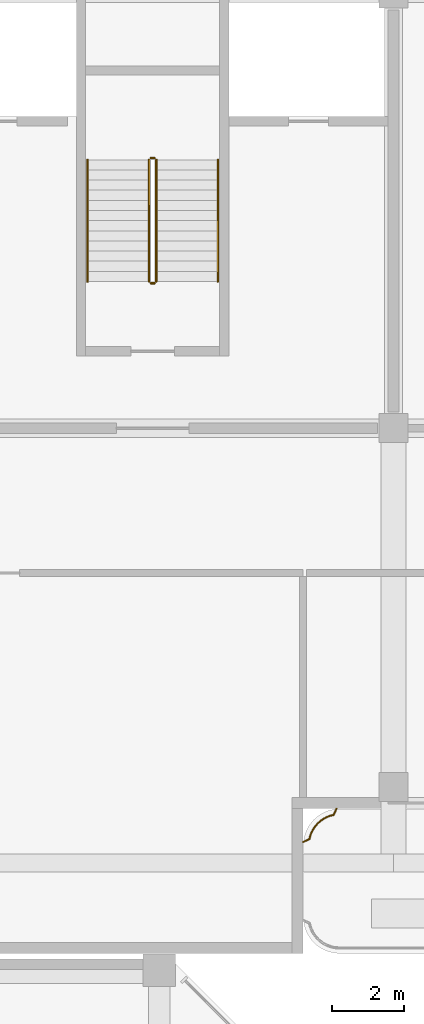
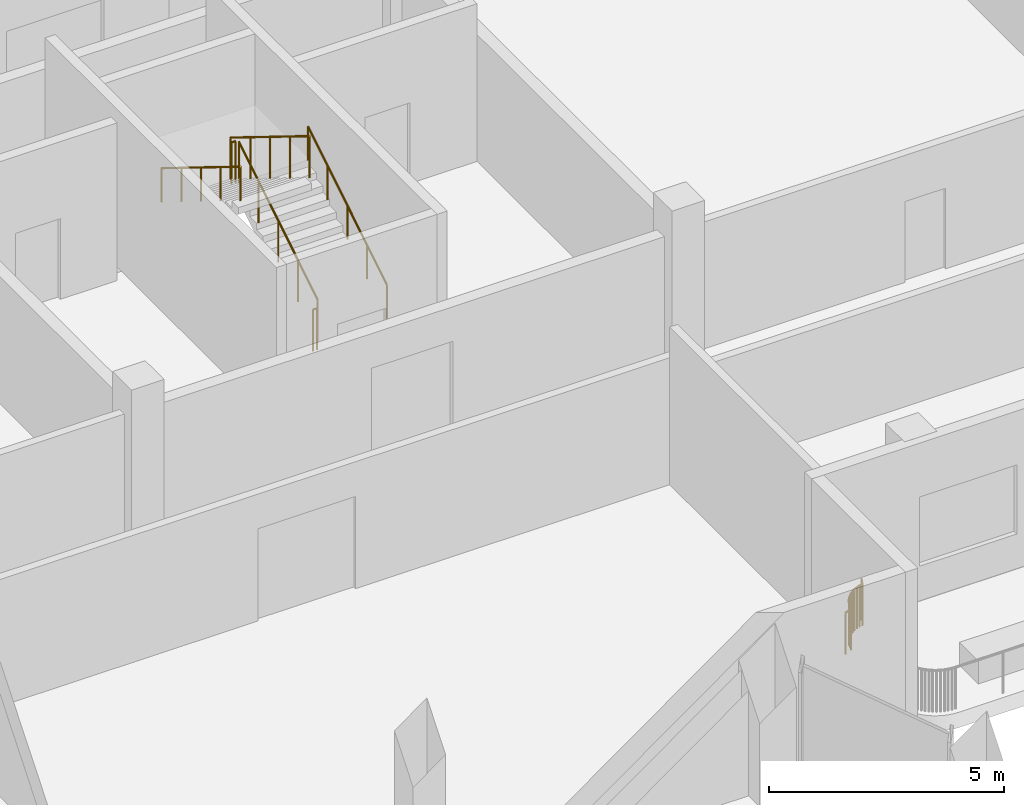
# One storey, part 33 of 35: 7 railings.
"""IFC4 building model written with IfcOpenShell, lengths in metres."""

from ifc_helpers import new_model, si_unit, direction, frame, origin, origin_2d, place, context, subcontext, project, spatial, circle, extrude, material, type_object, element, save


model = new_model("IFC4")

# Units and contexts
model_context = context("Model", 3, precision=1e-05, world=origin(), true_north=direction((0.0, 1.0)))
body_context = subcontext(model_context, "Body", "Model", "MODEL_VIEW")
ifc_project = project(units=[si_unit("LENGTHUNIT", "METRE"), si_unit("AREAUNIT", "SQUARE_METRE"), si_unit("VOLUMEUNIT", "CUBIC_METRE"), si_unit("PLANEANGLEUNIT", "RADIAN"), si_unit("MASSUNIT", "GRAM", prefix="KILO")], contexts=[model_context])

# Site, building, storey
site_placement = place(None, origin())
site = spatial("IfcSite", under=ifc_project, at=site_placement, CompositionType="ELEMENT")
building_placement = place(site_placement, origin())
building = spatial("IfcBuilding", under=site, at=building_placement, Name="Kilnfold Tower and Market Hall", CompositionType="ELEMENT")
storey_placement = place(building_placement, frame((0.0, 0.0, 13.5)))
storey = spatial("IfcBuildingStorey", under=building, at=storey_placement, Name="L02", CompositionType="ELEMENT", Elevation=13.5)

# Railings
ifc_material_1 = material(Name="Steel S355", Category="steel")
railing_type_1 = type_object("IfcRailingType", Name="HALL STAIR GUARD 1100", PredefinedType="GUARDRAIL", material=ifc_material_1)
railing_1_placement = place(storey_placement, frame((24.10009765625, 46.699951171875, 0.173095703125)))
element("IfcRailing", 1, at=railing_1_placement, inside=storey, type_object=railing_type_1, Name="L02 MS5 stair guard 1", PredefinedType="GUARDRAIL", context=body_context, shape_type="SweptSolid", body=[
    extrude(circle(Radius=0.02392578125, at=origin_2d()), frame((0.0, 0.0, 1.076171875), z_axis=(0.0, 0.850623216509, 0.525775754039), x_axis=(-1.0, 0.0, 0.0)), (0.0, 0.0, 1.0), 3.9501953125),
    extrude(circle(Radius=0.02099609375, at=origin_2d()), origin(), (0.0, 0.0, 1.0), 1.052001953125),
    extrude(circle(Radius=0.02099609375, at=origin_2d()), frame((0.0, 0.840087890625, 0.519287109375)), (0.0, 0.0, 1.0), 1.052001953125),
    extrude(circle(Radius=0.02099609375, at=origin_2d()), frame((0.0, 1.68017578125, 1.03857421875)), (0.0, 0.0, 1.0), 1.052001953125),
    extrude(circle(Radius=0.02099609375, at=origin_2d()), frame((0.0, 2.52001953125, 1.5576171875)), (0.0, 0.0, 1.0), 1.052001953125),
    extrude(circle(Radius=0.02099609375, at=origin_2d()), frame((0.0, 3.360107421875, 2.076904296875)), (0.0, 0.0, 1.0), 1.052001953125),
])
railing_2_placement = place(storey_placement, frame((24.050048828125, 50.110107421875, 2.25)))
element("IfcRailing", 2, at=railing_2_placement, inside=storey, type_object=railing_type_1, Name="L02 MS5 stair guard 2", PredefinedType="GUARDRAIL", context=body_context, shape_type="SweptSolid", body=[
    extrude(circle(Radius=0.02392578125, at=origin_2d()), frame((0.0, 0.0, 1.076171875), z_axis=(-1.0, 0.0, 0.0), x_axis=(0.0, -1.0, 0.0)), (0.0, 0.0, 1.0), 0.10009765625),
    extrude(circle(Radius=0.02099609375, at=origin_2d()), origin(), (0.0, 0.0, 1.0), 1.052001953125),
    extrude(circle(Radius=0.02099609375, at=origin_2d()), frame((-0.10009765625, 0.0, 0.0)), (0.0, 0.0, 1.0), 1.052001953125),
])
railing_3_placement = place(storey_placement, frame((23.89990234375, 50.06005859375, 2.423095703125)))
element("IfcRailing", 3, at=railing_3_placement, inside=storey, type_object=railing_type_1, Name="L02 MS5 stair guard 3", PredefinedType="GUARDRAIL", context=body_context, shape_type="SweptSolid", body=[
    extrude(circle(Radius=0.02392578125, at=origin_2d()), frame((0.0, 0.0, 1.076171875), z_axis=(0.0, -0.850623216509, 0.525775754039), x_axis=(1.0, 0.0, 0.0)), (0.0, 0.0, 1.0), 3.9501953125),
    extrude(circle(Radius=0.02099609375, at=origin_2d()), origin(), (0.0, 0.0, 1.0), 1.052001953125),
    extrude(circle(Radius=0.02099609375, at=origin_2d()), frame((0.0, -0.840087890625, 0.519287109375)), (0.0, 0.0, 1.0), 1.052001953125),
    extrude(circle(Radius=0.02099609375, at=origin_2d()), frame((0.0, -1.68017578125, 1.03857421875)), (0.0, 0.0, 1.0), 1.052001953125),
    extrude(circle(Radius=0.02099609375, at=origin_2d()), frame((0.0, -2.52001953125, 1.5576171875)), (0.0, 0.0, 1.0), 1.052001953125),
    extrude(circle(Radius=0.02099609375, at=origin_2d()), frame((0.0, -3.360107421875, 2.076904296875)), (0.0, 0.0, 1.0), 1.052001953125),
])
railing_4_placement = place(storey_placement, frame((24.050048828125, 46.64990234375, 0.0)))
element("IfcRailing", 4, at=railing_4_placement, inside=storey, type_object=railing_type_1, Name="L02 MS5 stair guard 4", PredefinedType="GUARDRAIL", context=body_context, shape_type="SweptSolid", body=[
    extrude(circle(Radius=0.02392578125, at=origin_2d()), frame((0.0, 0.0, 1.076171875), z_axis=(-1.0, 0.0, 0.0), x_axis=(0.0, -1.0, 0.0)), (0.0, 0.0, 1.0), 0.10009765625),
    extrude(circle(Radius=0.02099609375, at=origin_2d()), origin(), (0.0, 0.0, 1.0), 1.052001953125),
    extrude(circle(Radius=0.02099609375, at=origin_2d()), frame((-0.10009765625, 0.0, 0.0)), (0.0, 0.0, 1.0), 1.052001953125),
])
ifc_material_2 = material(Name="Steel S355", Category="steel")
railing_type_2 = type_object("IfcRailingType", Name="HALL STAIR HANDRAIL", PredefinedType="HANDRAIL", material=ifc_material_2)
railing_5_placement = place(storey_placement, frame((25.800048828125, 46.699951171875, 0.173095703125)))
element("IfcRailing", 5, at=railing_5_placement, inside=storey, type_object=railing_type_2, Name="L02 MS5 stair handrail 1", PredefinedType="HANDRAIL", context=body_context, shape_type="SweptSolid", body=[
    extrude(circle(Radius=0.02392578125, at=origin_2d()), frame((0.0, 0.0, 0.8759765625), z_axis=(0.0, 0.850623216509, 0.525775754039), x_axis=(-1.0, 0.0, 0.0)), (0.0, 0.0, 1.0), 3.9501953125),
    extrude(circle(Radius=0.02099609375, at=origin_2d()), origin(), (0.0, 0.0, 1.0), 0.851806640625),
    extrude(circle(Radius=0.02099609375, at=origin_2d()), frame((0.0, 0.840087890625, 0.519287109375)), (0.0, 0.0, 1.0), 0.851806640625),
    extrude(circle(Radius=0.02099609375, at=origin_2d()), frame((0.0, 1.68017578125, 1.03857421875)), (0.0, 0.0, 1.0), 0.851806640625),
    extrude(circle(Radius=0.02099609375, at=origin_2d()), frame((0.0, 2.52001953125, 1.5576171875)), (0.0, 0.0, 1.0), 0.851806640625),
    extrude(circle(Radius=0.02099609375, at=origin_2d()), frame((0.0, 3.360107421875, 2.076904296875)), (0.0, 0.0, 1.0), 0.851806640625),
])
railing_6_placement = place(storey_placement, frame((22.199951171875, 50.06005859375, 2.423095703125)))
element("IfcRailing", 6, at=railing_6_placement, inside=storey, type_object=railing_type_2, Name="L02 MS5 stair handrail 2", PredefinedType="HANDRAIL", context=body_context, shape_type="SweptSolid", body=[
    extrude(circle(Radius=0.02392578125, at=origin_2d()), frame((0.0, 0.0, 0.8759765625), z_axis=(0.0, -0.850623216509, 0.525775754039), x_axis=(1.0, 0.0, 0.0)), (0.0, 0.0, 1.0), 3.9501953125),
    extrude(circle(Radius=0.02099609375, at=origin_2d()), origin(), (0.0, 0.0, 1.0), 0.851806640625),
    extrude(circle(Radius=0.02099609375, at=origin_2d()), frame((0.0, -0.840087890625, 0.519287109375)), (0.0, 0.0, 1.0), 0.851806640625),
    extrude(circle(Radius=0.02099609375, at=origin_2d()), frame((0.0, -1.68017578125, 1.03857421875)), (0.0, 0.0, 1.0), 0.851806640625),
    extrude(circle(Radius=0.02099609375, at=origin_2d()), frame((0.0, -2.52001953125, 1.5576171875)), (0.0, 0.0, 1.0), 0.851806640625),
    extrude(circle(Radius=0.02099609375, at=origin_2d()), frame((0.0, -3.360107421875, 2.076904296875)), (0.0, 0.0, 1.0), 0.851806640625),
])
ifc_material_3 = material(Name="Steel S355", Category="steel")
railing_type_3 = type_object("IfcRailingType", Name="TERRACE GUARD 1100", PredefinedType="GUARDRAIL", material=ifc_material_3)
railing_7_placement = place(storey_placement, frame((28.14990234375, 31.223388671875, 0.0)))
element("IfcRailing", 7, at=railing_7_placement, inside=storey, type_object=railing_type_3, Name="Terrace guard L02", PredefinedType="GUARDRAIL", context=body_context, shape_type="SweptSolid", body=[
    extrude(circle(Radius=0.02392578125, at=origin_2d()), frame((0.0, 0.0, 1.076171875), z_axis=(0.905894838858, 0.42350270475, 0.0), x_axis=(-0.42350270475, 0.905894838858, 0.0)), (0.0, 0.0, 1.0), 0.19482421875),
    extrude(circle(Radius=0.02392578125, at=origin_2d()), frame((0.176513671875, 0.08251953125, 1.076171875), z_axis=(0.243225074977, 0.969969877317, 0.0), x_axis=(-0.969969877317, 0.243225074977, 0.0)), (0.0, 0.0, 1.0), 0.083251953125),
    extrude(circle(Radius=0.02392578125, at=origin_2d()), frame((0.19677734375, 0.163330078125, 1.076171875), z_axis=(0.339860442393, 0.94047587938, 0.0), x_axis=(-0.94047587938, 0.339860442393, 0.0)), (0.0, 0.0, 1.0), 0.083251953125),
    extrude(circle(Radius=0.02392578125, at=origin_2d()), frame((0.22509765625, 0.24169921875, 1.076171875), z_axis=(0.424809143949, 0.905282934346, 0.0), x_axis=(-0.905282934346, 0.424809143949, 0.0)), (0.0, 0.0, 1.0), 0.083251953125),
    extrude(circle(Radius=0.02392578125, at=origin_2d()), frame((0.260498046875, 0.317138671875, 1.076171875), z_axis=(0.514925942955, 0.857234666397, 0.0), x_axis=(-0.857234666397, 0.514925942955, 0.0)), (0.0, 0.0, 1.0), 0.08349609375),
    extrude(circle(Radius=0.02392578125, at=origin_2d()), frame((0.303466796875, 0.388671875, 1.076171875), z_axis=(0.595786159963, 0.803143107794, 0.0), x_axis=(-0.803143107794, 0.595786159963, 0.0)), (0.0, 0.0, 1.0), 0.08349609375),
    extrude(circle(Radius=0.02392578125, at=origin_2d()), frame((0.353271484375, 0.455810546875, 1.076171875), z_axis=(0.671066773129, 0.741396915291, 0.0), x_axis=(-0.741396915291, 0.671066773129, 0.0)), (0.0, 0.0, 1.0), 0.083251953125),
    extrude(circle(Radius=0.02392578125, at=origin_2d()), frame((0.4091796875, 0.517578125, 1.076171875), z_axis=(0.741396915291, 0.671066773129, 0.0), x_axis=(-0.671066773129, 0.741396915291, 0.0)), (0.0, 0.0, 1.0), 0.083251953125),
    extrude(circle(Radius=0.02392578125, at=origin_2d()), frame((0.470947265625, 0.573486328125, 1.076171875), z_axis=(0.803143107794, 0.595786159963, 0.0), x_axis=(-0.595786159963, 0.803143107794, 0.0)), (0.0, 0.0, 1.0), 0.08349609375),
    extrude(circle(Radius=0.02392578125, at=origin_2d()), frame((0.5380859375, 0.623291015625, 1.076171875), z_axis=(0.858525353686, 0.512771115683, 0.0), x_axis=(-0.512771115683, 0.858525353686, 0.0)), (0.0, 0.0, 1.0), 0.083251953125),
    extrude(circle(Radius=0.02392578125, at=origin_2d()), frame((0.609619140625, 0.666015625, 1.076171875), z_axis=(0.903618326629, 0.428338557428, 0.0), x_axis=(-0.428338557428, 0.903618326629, 0.0)), (0.0, 0.0, 1.0), 0.083251953125),
    extrude(circle(Radius=0.02392578125, at=origin_2d()), frame((0.684814453125, 0.70166015625, 1.076171875), z_axis=(0.941741911595, 0.336336396998, 0.0), x_axis=(-0.336336396998, 0.941741911595, 0.0)), (0.0, 0.0, 1.0), 0.08349609375),
    extrude(circle(Radius=0.02392578125, at=origin_2d()), frame((0.763427734375, 0.729736328125, 1.076171875), z_axis=(0.969969877317, 0.243225074977, 0.0), x_axis=(-0.243225074977, 0.969969877317, 0.0)), (0.0, 0.0, 1.0), 0.083251953125),
    extrude(circle(Radius=0.02392578125, at=origin_2d()), frame((0.84423828125, 0.75, 1.076171875), z_axis=(0.42350270475, 0.905894838858, 0.0), x_axis=(-0.905894838858, 0.42350270475, 0.0)), (0.0, 0.0, 1.0), 0.19482421875),
    extrude(circle(Radius=0.02099609375, at=origin_2d()), origin(), (0.0, 0.0, 1.0), 1.052001953125),
    extrude(circle(Radius=0.02099609375, at=origin_2d()), frame((0.176513671875, 0.08251953125, 0.0)), (0.0, 0.0, 1.0), 1.052001953125),
    extrude(circle(Radius=0.02099609375, at=origin_2d()), frame((0.19677734375, 0.163330078125, 0.0)), (0.0, 0.0, 1.0), 1.052001953125),
    extrude(circle(Radius=0.02099609375, at=origin_2d()), frame((0.22509765625, 0.24169921875, 0.0)), (0.0, 0.0, 1.0), 1.052001953125),
    extrude(circle(Radius=0.02099609375, at=origin_2d()), frame((0.260498046875, 0.317138671875, 0.0)), (0.0, 0.0, 1.0), 1.052001953125),
    extrude(circle(Radius=0.02099609375, at=origin_2d()), frame((0.303466796875, 0.388671875, 0.0)), (0.0, 0.0, 1.0), 1.052001953125),
    extrude(circle(Radius=0.02099609375, at=origin_2d()), frame((0.353271484375, 0.455810546875, 0.0)), (0.0, 0.0, 1.0), 1.052001953125),
    extrude(circle(Radius=0.02099609375, at=origin_2d()), frame((0.4091796875, 0.517578125, 0.0)), (0.0, 0.0, 1.0), 1.052001953125),
    extrude(circle(Radius=0.02099609375, at=origin_2d()), frame((0.470947265625, 0.573486328125, 0.0)), (0.0, 0.0, 1.0), 1.052001953125),
    extrude(circle(Radius=0.02099609375, at=origin_2d()), frame((0.5380859375, 0.623291015625, 0.0)), (0.0, 0.0, 1.0), 1.052001953125),
    extrude(circle(Radius=0.02099609375, at=origin_2d()), frame((0.609619140625, 0.666015625, 0.0)), (0.0, 0.0, 1.0), 1.052001953125),
    extrude(circle(Radius=0.02099609375, at=origin_2d()), frame((0.684814453125, 0.70166015625, 0.0)), (0.0, 0.0, 1.0), 1.052001953125),
    extrude(circle(Radius=0.02099609375, at=origin_2d()), frame((0.763427734375, 0.729736328125, 0.0)), (0.0, 0.0, 1.0), 1.052001953125),
    extrude(circle(Radius=0.02099609375, at=origin_2d()), frame((0.84423828125, 0.75, 0.0)), (0.0, 0.0, 1.0), 1.052001953125),
    extrude(circle(Radius=0.02099609375, at=origin_2d()), frame((0.9267578125, 0.926513671875, 0.0)), (0.0, 0.0, 1.0), 1.052001953125),
])

save(model, "model.ifc")
